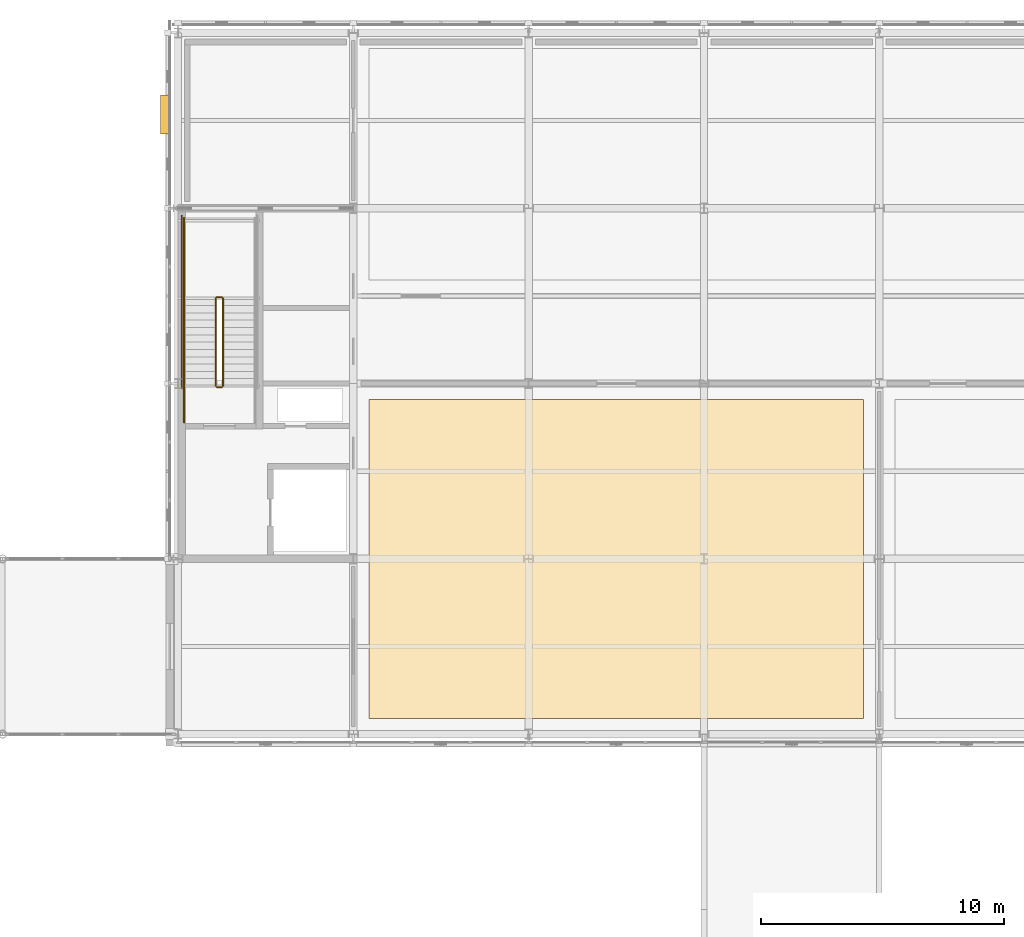
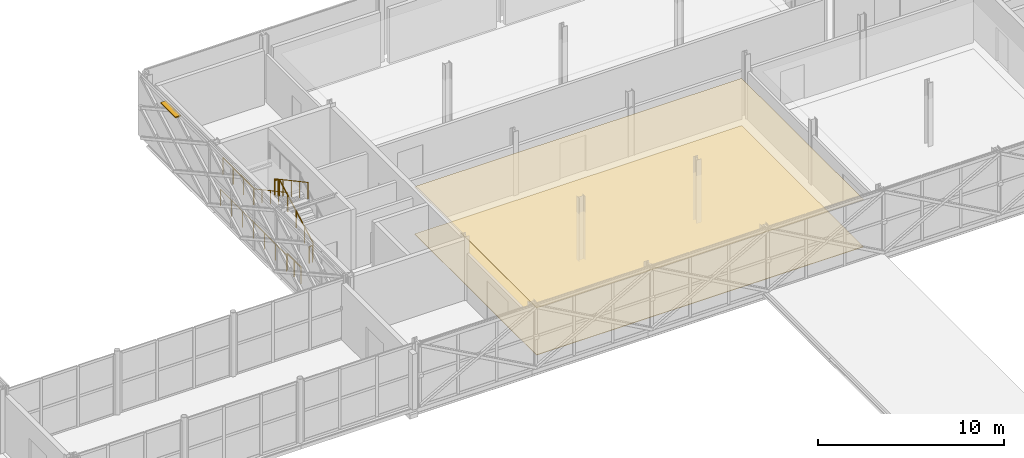
# One storey, part 123 of 126: 8 railings, 2 coverings, 1 shading device.
"""IFC4 building model written with IfcOpenShell, lengths in metres."""

from ifc_helpers import new_model, si_unit, direction, frame, origin, origin_2d, place, context, subcontext, project, spatial, polyline, rectangle, circle, outline, extrude, material, layer, layer_set, type_object, element, save


model = new_model("IFC4")

# Units and contexts
model_context = context("Model", 3, precision=1e-05, world=origin(), true_north=direction((0.0, 1.0)))
body_context = subcontext(model_context, "Body", "Model", "MODEL_VIEW")
ifc_project = project(units=[si_unit("LENGTHUNIT", "METRE"), si_unit("AREAUNIT", "SQUARE_METRE"), si_unit("VOLUMEUNIT", "CUBIC_METRE"), si_unit("PLANEANGLEUNIT", "RADIAN"), si_unit("MASSUNIT", "GRAM", prefix="KILO")], contexts=[model_context])

# Site, building, storey
site_placement = place(None, origin())
site = spatial("IfcSite", under=ifc_project, at=site_placement, CompositionType="ELEMENT")
building_placement = place(site_placement, origin())
building = spatial("IfcBuilding", under=site, at=building_placement, Name="Zlatovets Crest Museum", CompositionType="ELEMENT")
storey_placement = place(building_placement, frame((0.0, 0.0, 8.699951171875)))
storey = spatial("IfcBuildingStorey", under=building, at=storey_placement, Name="L02", CompositionType="ELEMENT", Elevation=8.699951171875)

# Coverings
ifc_material_1 = material(Name="Micro-perforated gypsum acoustic gallery ceiling")
ifc_layer_1 = layer(ifc_material_1, 0.050048828125)
ifc_layer_set_1 = layer_set([ifc_layer_1], Name="Micro-perforated gypsum acoustic gallery ceiling")
covering_type_1 = type_object("IfcCoveringType", Name="GalleryCeiling_CLG1", PredefinedType="CEILING", material=ifc_layer_set_1)
covering_1_placement = place(storey_placement, frame((0.0, 0.0, 3.090087890625)))
element("IfcCovering", 1, at=covering_1_placement, inside=storey, type_object=covering_type_1, Name="Central European Secession Salon Acoustic Ceiling", PredefinedType="CEILING", context=body_context, shape_type="SweptSolid", body=[
    extrude(outline(polyline([(65.449951171875, 87.050048828125), (85.75, 87.050048828125), (85.75, 100.14990234375), (65.449951171875, 100.14990234375), (65.449951171875, 87.050048828125)])), origin(), (0.0, 0.0, 1.0), 0.050048828125),
])
ifc_material_2 = material(Name="Quarter-sawn European oak herringbone gallery parquet")
ifc_layer_2 = layer(ifc_material_2, 0.030029296875)
ifc_layer_set_2 = layer_set([ifc_layer_2], Name="Quarter-sawn European oak herringbone gallery parquet")
covering_type_2 = type_object("IfcCoveringType", Name="GalleryFloor_FLR1", PredefinedType="FLOORING", material=ifc_layer_set_2)
covering_2_placement = place(storey_placement, origin())
element("IfcCovering", 2, at=covering_2_placement, inside=storey, type_object=covering_type_2, Name="Central European Secession Salon Floor Finish", PredefinedType="FLOORING", context=body_context, shape_type="SweptSolid", body=[
    extrude(outline(polyline([(65.449951171875, 87.050048828125), (85.75, 87.050048828125), (85.75, 100.14990234375), (65.449951171875, 100.14990234375), (65.449951171875, 87.050048828125)])), origin(), (0.0, 0.0, 1.0), 0.030029296875),
])

# Railings
ifc_material_3 = material(Name="Painted steel safety guardrail", Category="steel")
railing_type_1 = type_object("IfcRailingType", Name="StairGuard_SG01", PredefinedType="GUARDRAIL", material=ifc_material_3)
railing_1_placement = place(storey_placement, frame((59.449951171875, 100.699951171875, 0.16162109375)))
element("IfcRailing", 3, at=railing_1_placement, inside=storey, type_object=railing_type_1, Name="L02 ST1 stair guard 1", PredefinedType="GUARDRAIL", context=body_context, shape_type="SweptSolid", body=[
    extrude(circle(Radius=0.02392578125, at=origin_2d()), frame((0.0, 0.0, 1.076171875), z_axis=(0.0, 0.880474934443, 0.474092701714), x_axis=(-1.0, 0.0, 0.0)), (0.0, 0.0, 1.0), 4.0888671875),
    extrude(circle(Radius=0.02099609375, at=origin_2d()), origin(), (0.0, 0.0, 1.0), 1.052001953125),
    extrude(circle(Radius=0.02099609375, at=origin_2d()), frame((0.0, 0.89990234375, 0.484619140625)), (0.0, 0.0, 1.0), 1.052001953125),
    extrude(circle(Radius=0.02099609375, at=origin_2d()), frame((0.0, 1.800048828125, 0.96923828125)), (0.0, 0.0, 1.0), 1.052001953125),
    extrude(circle(Radius=0.02099609375, at=origin_2d()), frame((0.0, 2.7001953125, 1.453857421875)), (0.0, 0.0, 1.0), 1.052001953125),
    extrude(circle(Radius=0.02099609375, at=origin_2d()), frame((0.0, 3.60009765625, 1.9384765625)), (0.0, 0.0, 1.0), 1.052001953125),
])
railing_2_placement = place(storey_placement, frame((59.39990234375, 104.35009765625, 2.10009765625)))
element("IfcRailing", 4, at=railing_2_placement, inside=storey, type_object=railing_type_1, Name="L02 ST1 stair guard 2", PredefinedType="GUARDRAIL", context=body_context, shape_type="SweptSolid", body=[
    extrude(circle(Radius=0.02392578125, at=origin_2d()), frame((0.0, 0.0, 1.076171875), z_axis=(-1.0, 0.0, 0.0), x_axis=(0.0, -1.0, 0.0)), (0.0, 0.0, 1.0), 0.199951171875),
    extrude(circle(Radius=0.02099609375, at=origin_2d()), origin(), (0.0, 0.0, 1.0), 1.052001953125),
    extrude(circle(Radius=0.02099609375, at=origin_2d()), frame((-0.199951171875, 0.0, 0.0)), (0.0, 0.0, 1.0), 1.052001953125),
])
railing_3_placement = place(storey_placement, frame((57.85009765625, 104.300048828125, 2.10009765625)))
element("IfcRailing", 5, at=railing_3_placement, inside=storey, type_object=railing_type_1, Name="L02 ST1 stair guard 4", PredefinedType="GUARDRAIL", context=body_context, shape_type="SweptSolid", body=[
    extrude(circle(Radius=0.02392578125, at=origin_2d()), frame((0.0, 0.0, 1.076171875), z_axis=(0.0, 1.0, 0.0), x_axis=(-1.0, 0.0, 0.0)), (0.0, 0.0, 1.0), 3.300048828125),
    extrude(circle(Radius=0.02099609375, at=origin_2d()), origin(), (0.0, 0.0, 1.0), 1.052001953125),
    extrude(circle(Radius=0.02099609375, at=origin_2d()), frame((0.0, 1.10009765625, 0.0)), (0.0, 0.0, 1.0), 1.052001953125),
    extrude(circle(Radius=0.02099609375, at=origin_2d()), frame((0.0, 2.199951171875, 0.0)), (0.0, 0.0, 1.0), 1.052001953125),
    extrude(circle(Radius=0.02099609375, at=origin_2d()), frame((0.0, 3.300048828125, 0.0)), (0.0, 0.0, 1.0), 1.052001953125),
])
railing_4_placement = place(storey_placement, frame((59.14990234375, 104.300048828125, 2.261474609375)))
element("IfcRailing", 6, at=railing_4_placement, inside=storey, type_object=railing_type_1, Name="L02 ST1 stair guard 5", PredefinedType="GUARDRAIL", context=body_context, shape_type="SweptSolid", body=[
    extrude(circle(Radius=0.02392578125, at=origin_2d()), frame((0.0, 0.0, 1.076171875), z_axis=(0.0, -0.880474934443, 0.474092701714), x_axis=(1.0, 0.0, 0.0)), (0.0, 0.0, 1.0), 4.0888671875),
    extrude(circle(Radius=0.02099609375, at=origin_2d()), origin(), (0.0, 0.0, 1.0), 1.052001953125),
    extrude(circle(Radius=0.02099609375, at=origin_2d()), frame((0.0, -0.89990234375, 0.484619140625)), (0.0, 0.0, 1.0), 1.052001953125),
    extrude(circle(Radius=0.02099609375, at=origin_2d()), frame((0.0, -1.800048828125, 0.96923828125)), (0.0, 0.0, 1.0), 1.052001953125),
    extrude(circle(Radius=0.02099609375, at=origin_2d()), frame((0.0, -2.7001953125, 1.453857421875)), (0.0, 0.0, 1.0), 1.052001953125),
    extrude(circle(Radius=0.02099609375, at=origin_2d()), frame((0.0, -3.60009765625, 1.9384765625)), (0.0, 0.0, 1.0), 1.052001953125),
])
railing_5_placement = place(storey_placement, frame((59.39990234375, 100.64990234375, 0.0)))
element("IfcRailing", 7, at=railing_5_placement, inside=storey, type_object=railing_type_1, Name="L02 ST1 stair guard 6", PredefinedType="GUARDRAIL", context=body_context, shape_type="SweptSolid", body=[
    extrude(circle(Radius=0.02392578125, at=origin_2d()), frame((0.0, 0.0, 1.076171875), z_axis=(-1.0, 0.0, 0.0), x_axis=(0.0, -1.0, 0.0)), (0.0, 0.0, 1.0), 0.199951171875),
    extrude(circle(Radius=0.02099609375, at=origin_2d()), origin(), (0.0, 0.0, 1.0), 1.052001953125),
    extrude(circle(Radius=0.02099609375, at=origin_2d()), frame((-0.199951171875, 0.0, 0.0)), (0.0, 0.0, 1.0), 1.052001953125),
])
railing_6_placement = place(storey_placement, frame((57.85009765625, 99.199951171875, 0.0)))
element("IfcRailing", 8, at=railing_6_placement, inside=storey, type_object=railing_type_1, Name="L02 ST1 stair guard 8", PredefinedType="GUARDRAIL", context=body_context, shape_type="SweptSolid", body=[
    extrude(circle(Radius=0.02392578125, at=origin_2d()), frame((0.0, 0.0, 1.076171875), z_axis=(0.0, 1.0, 0.0), x_axis=(-1.0, 0.0, 0.0)), (0.0, 0.0, 1.0), 1.5),
    extrude(circle(Radius=0.02099609375, at=origin_2d()), origin(), (0.0, 0.0, 1.0), 1.052001953125),
    extrude(circle(Radius=0.02099609375, at=origin_2d()), frame((0.0, 0.75, 0.0)), (0.0, 0.0, 1.0), 1.052001953125),
    extrude(circle(Radius=0.02099609375, at=origin_2d()), frame((0.0, 1.5, 0.0)), (0.0, 0.0, 1.0), 1.052001953125),
])
railing_7_placement = place(storey_placement, frame((57.75, 100.60009765625, 0.0)))
element("IfcRailing", 9, at=railing_7_placement, inside=storey, type_object=railing_type_1, Name="L02 ST1 stair guard 10", PredefinedType="GUARDRAIL", context=body_context, shape_type="SweptSolid", body=[
    extrude(circle(Radius=0.02392578125, at=origin_2d()), frame((0.0, 0.0, 1.076171875), z_axis=(0.0, 1.0, 0.0), x_axis=(-1.0, 0.0, 0.0)), (0.0, 0.0, 1.0), 7.099853515625),
    extrude(circle(Radius=0.02099609375, at=origin_2d()), origin(), (0.0, 0.0, 1.0), 1.052001953125),
    extrude(circle(Radius=0.02099609375, at=origin_2d()), frame((0.0, 1.183349609375, 0.0)), (0.0, 0.0, 1.0), 1.052001953125),
    extrude(circle(Radius=0.02099609375, at=origin_2d()), frame((0.0, 2.36669921875, 0.0)), (0.0, 0.0, 1.0), 1.052001953125),
    extrude(circle(Radius=0.02099609375, at=origin_2d()), frame((0.0, 3.5498046875, 0.0)), (0.0, 0.0, 1.0), 1.052001953125),
    extrude(circle(Radius=0.02099609375, at=origin_2d()), frame((0.0, 4.733154296875, 0.0)), (0.0, 0.0, 1.0), 1.052001953125),
    extrude(circle(Radius=0.02099609375, at=origin_2d()), frame((0.0, 5.91650390625, 0.0)), (0.0, 0.0, 1.0), 1.052001953125),
    extrude(circle(Radius=0.02099609375, at=origin_2d()), frame((0.0, 7.099853515625, 0.0)), (0.0, 0.0, 1.0), 1.052001953125),
])
ifc_material_4 = material(Name="Brushed bronze stair handrail")
railing_type_2 = type_object("IfcRailingType", Name="StairHandrail_SH01", PredefinedType="HANDRAIL", material=ifc_material_4)
railing_8_placement = place(storey_placement, frame((57.85009765625, 104.300048828125, 2.261474609375)))
element("IfcRailing", 10, at=railing_8_placement, inside=storey, type_object=railing_type_2, Name="L02 ST1 stair handrail 2", PredefinedType="HANDRAIL", context=body_context, shape_type="SweptSolid", body=[
    extrude(circle(Radius=0.02392578125, at=origin_2d()), frame((0.0, 0.0, 0.8759765625), z_axis=(0.0, -0.880474934443, 0.474092701714), x_axis=(1.0, 0.0, 0.0)), (0.0, 0.0, 1.0), 4.0888671875),
    extrude(circle(Radius=0.02099609375, at=origin_2d()), origin(), (0.0, 0.0, 1.0), 0.851806640625),
    extrude(circle(Radius=0.02099609375, at=origin_2d()), frame((0.0, -0.89990234375, 0.484619140625)), (0.0, 0.0, 1.0), 0.851806640625),
    extrude(circle(Radius=0.02099609375, at=origin_2d()), frame((0.0, -1.800048828125, 0.96923828125)), (0.0, 0.0, 1.0), 0.851806640625),
    extrude(circle(Radius=0.02099609375, at=origin_2d()), frame((0.0, -2.7001953125, 1.453857421875)), (0.0, 0.0, 1.0), 0.851806640625),
    extrude(circle(Radius=0.02099609375, at=origin_2d()), frame((0.0, -3.60009765625, 1.9384765625)), (0.0, 0.0, 1.0), 0.851806640625),
])

# Shading device
ifc_material_5 = material(Name="Patinated bronze solar-control louvre", Category="aluminium")
shading_device_type = type_object("IfcShadingDeviceType", Name="SunLouvre_SL01", PredefinedType="JALOUSIE", material=ifc_material_5)
shading_device_placement = place(storey_placement, frame((57.06005859375, 111.840087890625, 4.010009765625), z_axis=(0.0, 0.0, 1.0), x_axis=(0.0, 1.0, 0.0)))
element("IfcShadingDevice", 11, at=shading_device_placement, inside=storey, type_object=shading_device_type, Name="Bronze Solar-Control Louvre Hood", PredefinedType="JALOUSIE", context=body_context, shape_type="SweptSolid", body=[
    extrude(rectangle(XDim=1.60009765625, YDim=0.35009765625, at=origin_2d()), origin(), (0.0, 0.0, 1.0), 0.080078125),
])

save(model, "model.ifc")
